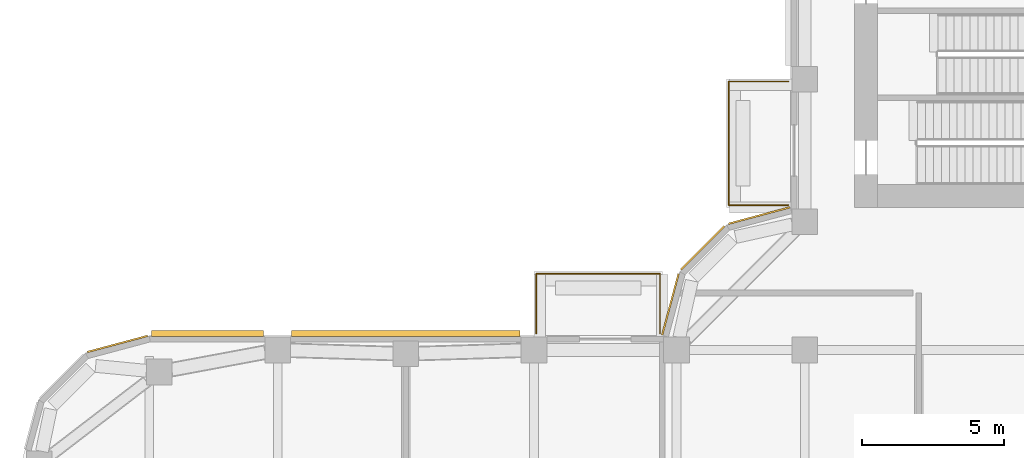
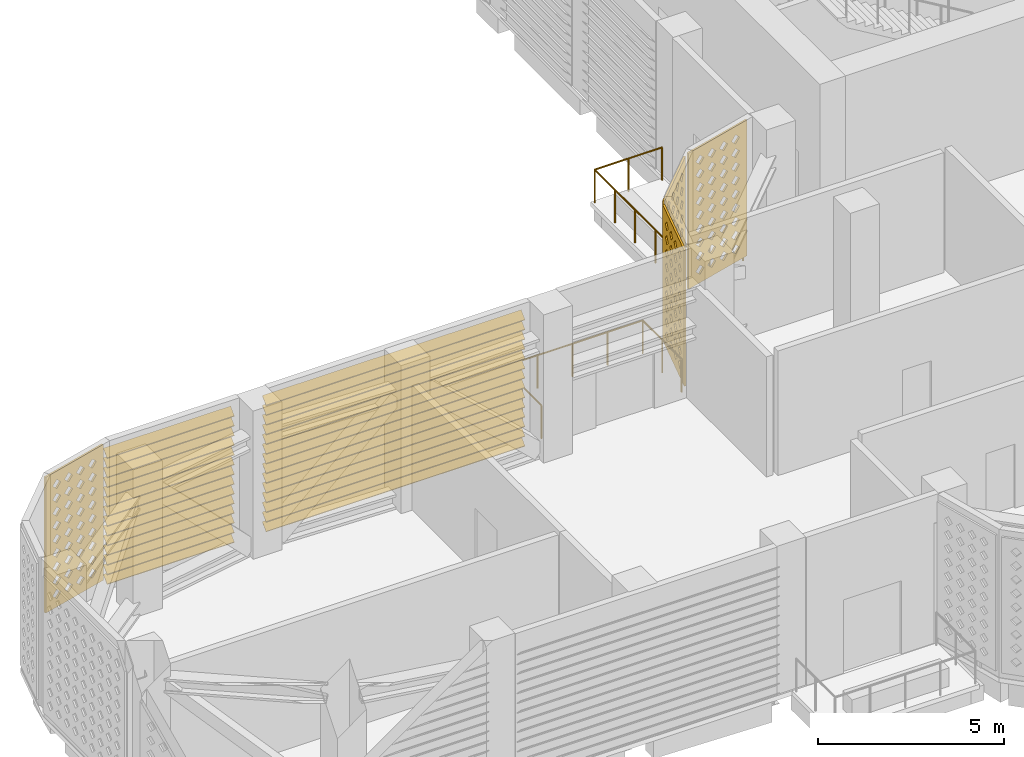
# One storey, part 15 of 20: 4 coverings, 2 railings, 2 shading devices.
"""IFC4 building model written with IfcOpenShell, lengths in metres."""

from ifc_helpers import new_model, si_unit, direction, frame, origin, origin_2d, place, context, subcontext, project, spatial, polyline, circle, outline, extrude, source, transform, mapped, material, layer, layer_set, type_object, element, save


model = new_model("IFC4")

# Units and contexts
model_context = context("Model", 3, precision=1e-05, world=origin(), true_north=direction((0.0, 1.0)))
body_context = subcontext(model_context, "Body", "Model", "MODEL_VIEW")
ifc_project = project(units=[si_unit("LENGTHUNIT", "METRE"), si_unit("AREAUNIT", "SQUARE_METRE"), si_unit("VOLUMEUNIT", "CUBIC_METRE"), si_unit("PLANEANGLEUNIT", "RADIAN"), si_unit("MASSUNIT", "GRAM", prefix="KILO")], contexts=[model_context])

# Site, building, storey
site_placement = place(None, origin())
site = spatial("IfcSite", under=ifc_project, at=site_placement, CompositionType="ELEMENT")
building_placement = place(site_placement, origin())
building = spatial("IfcBuilding", under=site, at=building_placement, Name="Zarbagh Exchange Tower", CompositionType="ELEMENT")
storey_placement = place(building_placement, frame((0.0, 0.0, 136.0)))
storey = spatial("IfcBuildingStorey", under=building, at=storey_placement, Name="L32", CompositionType="ELEMENT", Elevation=136.0)

# Railings
ifc_material_1 = material(Name="Stainless steel and laminated glass", Category="steel")
railing_type = type_object("IfcRailingType", Name="Terrace guard, glass balustrade 1.1 m", PredefinedType="GUARDRAIL", material=ifc_material_1)
railing_1_placement = place(storey_placement, frame((-6.830078125, 11.330078125, 0.0)))
element("IfcRailing", 1, at=railing_1_placement, inside=storey, type_object=railing_type, Name="TG01 terrace guard", PredefinedType="GUARDRAIL", context=body_context, shape_type="SweptSolid", body=[
    extrude(circle(Radius=0.02490234375, at=origin_2d()), frame((0.0, 0.0, 1.0751953125), z_axis=(-1.0, 0.0, 0.0), x_axis=(0.0, -1.0, 0.0)), (0.0, 0.0, 1.0), 2.08984375),
    extrude(circle(Radius=0.02490234375, at=origin_2d()), frame((-2.08984375, 0.0, 1.0751953125), z_axis=(0.0, 1.0, 0.0), x_axis=(-1.0, 0.0, 0.0)), (0.0, 0.0, 1.0), 4.33984375),
    extrude(circle(Radius=0.02490234375, at=origin_2d()), frame((-2.08984375, 4.33984375, 1.0751953125), z_axis=(1.0, 0.0, 0.0), x_axis=(0.0, 1.0, 0.0)), (0.0, 0.0, 1.0), 2.08984375),
    extrude(circle(Radius=0.02490234375, at=origin_2d()), origin(), (0.0, 0.0, 1.0), 1.050048828125),
    extrude(circle(Radius=0.02490234375, at=origin_2d()), frame((-1.044921875, 0.0, 0.0)), (0.0, 0.0, 1.0), 1.050048828125),
    extrude(circle(Radius=0.02490234375, at=origin_2d()), frame((-2.08984375, 0.0, 0.0)), (0.0, 0.0, 1.0), 1.050048828125),
    extrude(circle(Radius=0.02490234375, at=origin_2d()), frame((-2.08984375, 1.0849609375, 0.0)), (0.0, 0.0, 1.0), 1.050048828125),
    extrude(circle(Radius=0.02490234375, at=origin_2d()), frame((-2.08984375, 2.169921875, 0.0)), (0.0, 0.0, 1.0), 1.050048828125),
    extrude(circle(Radius=0.02490234375, at=origin_2d()), frame((-2.08984375, 3.2548828125, 0.0)), (0.0, 0.0, 1.0), 1.050048828125),
    extrude(circle(Radius=0.02490234375, at=origin_2d()), frame((-2.08984375, 4.33984375, 0.0)), (0.0, 0.0, 1.0), 1.050048828125),
    extrude(circle(Radius=0.02490234375, at=origin_2d()), frame((-1.044921875, 4.33984375, 0.0)), (0.0, 0.0, 1.0), 1.050048828125),
    extrude(circle(Radius=0.02490234375, at=origin_2d()), frame((0.0, 4.33984375, 0.0)), (0.0, 0.0, 1.0), 1.050048828125),
])
railing_2_placement = place(storey_placement, frame((-15.669921875, 6.830078125, 0.0)))
element("IfcRailing", 2, at=railing_2_placement, inside=storey, type_object=railing_type, Name="TG01 terrace guard", PredefinedType="GUARDRAIL", context=body_context, shape_type="SweptSolid", body=[
    extrude(circle(Radius=0.02490234375, at=origin_2d()), frame((0.0, 0.0, 1.0751953125), z_axis=(0.0, 1.0, 0.0), x_axis=(-1.0, 0.0, 0.0)), (0.0, 0.0, 1.0), 2.08984375),
    extrude(circle(Radius=0.02490234375, at=origin_2d()), frame((0.0, 2.08984375, 1.0751953125), z_axis=(1.0, 0.0, 0.0), x_axis=(0.0, 1.0, 0.0)), (0.0, 0.0, 1.0), 4.33984375),
    extrude(circle(Radius=0.02490234375, at=origin_2d()), frame((4.33984375, 2.08984375, 1.0751953125), z_axis=(0.0, -1.0, 0.0), x_axis=(1.0, 0.0, 0.0)), (0.0, 0.0, 1.0), 2.08984375),
    extrude(circle(Radius=0.02490234375, at=origin_2d()), origin(), (0.0, 0.0, 1.0), 1.050048828125),
    extrude(circle(Radius=0.02490234375, at=origin_2d()), frame((0.0, 1.044921875, 0.0)), (0.0, 0.0, 1.0), 1.050048828125),
    extrude(circle(Radius=0.02490234375, at=origin_2d()), frame((0.0, 2.08984375, 0.0)), (0.0, 0.0, 1.0), 1.050048828125),
    extrude(circle(Radius=0.02490234375, at=origin_2d()), frame((1.0849609375, 2.08984375, 0.0)), (0.0, 0.0, 1.0), 1.050048828125),
    extrude(circle(Radius=0.02490234375, at=origin_2d()), frame((2.169921875, 2.08984375, 0.0)), (0.0, 0.0, 1.0), 1.050048828125),
    extrude(circle(Radius=0.02490234375, at=origin_2d()), frame((3.2548828125, 2.08984375, 0.0)), (0.0, 0.0, 1.0), 1.050048828125),
    extrude(circle(Radius=0.02490234375, at=origin_2d()), frame((4.33984375, 2.08984375, 0.0)), (0.0, 0.0, 1.0), 1.050048828125),
    extrude(circle(Radius=0.02490234375, at=origin_2d()), frame((4.33984375, 1.044921875, 0.0)), (0.0, 0.0, 1.0), 1.050048828125),
    extrude(circle(Radius=0.02490234375, at=origin_2d()), frame((4.33984375, 0.0, 0.0)), (0.0, 0.0, 1.0), 1.050048828125),
])

# Coverings
ifc_material_2 = material(Name="Glass-fibre reinforced concrete GFRC C50/60", Category="concrete")
ifc_layer = layer(ifc_material_2, 0.06005859375)
ifc_layer_set = layer_set([ifc_layer], Name="SCREEN jali panel, GFRC")
covering_type = type_object("IfcCoveringType", Name="SCREEN jali panel, GFRC", PredefinedType="CLADDING", material=ifc_layer_set)
shared_shape_1 = source(origin(), body_context, "Body", "SweptSolid", [
    extrude(outline(polyline([(0.0, 0.0), (2.1650390625, 0.0), (2.1650390625, 4.449951171875), (0.0, 4.449951171875), (0.0, 0.0)]), holes=[polyline([(0.257568359375, 0.425048828125), (0.407470703125, 0.27490234375), (0.5576171875, 0.425048828125), (0.407470703125, 0.574951171875), (0.257568359375, 0.425048828125)]), polyline([(0.257568359375, 0.875), (0.407470703125, 0.72509765625), (0.5576171875, 0.875), (0.407470703125, 1.02490234375), (0.257568359375, 0.875)]), polyline([(0.257568359375, 1.324951171875), (0.407470703125, 1.175048828125), (0.5576171875, 1.324951171875), (0.407470703125, 1.47509765625), (0.257568359375, 1.324951171875)]), polyline([(0.257568359375, 1.77490234375), (0.407470703125, 1.625), (0.5576171875, 1.77490234375), (0.407470703125, 1.925048828125), (0.257568359375, 1.77490234375)]), polyline([(0.257568359375, 2.22509765625), (0.407470703125, 2.074951171875), (0.5576171875, 2.22509765625), (0.407470703125, 2.375), (0.257568359375, 2.22509765625)]), polyline([(0.257568359375, 2.675048828125), (0.407470703125, 2.52490234375), (0.5576171875, 2.675048828125), (0.407470703125, 2.824951171875), (0.257568359375, 2.675048828125)]), polyline([(0.257568359375, 3.125), (0.407470703125, 2.97509765625), (0.5576171875, 3.125), (0.407470703125, 3.27490234375), (0.257568359375, 3.125)]), polyline([(0.257568359375, 3.574951171875), (0.407470703125, 3.425048828125), (0.5576171875, 3.574951171875), (0.407470703125, 3.72509765625), (0.257568359375, 3.574951171875)]), polyline([(0.257568359375, 4.02490234375), (0.407470703125, 3.875), (0.5576171875, 4.02490234375), (0.407470703125, 4.175048828125), (0.257568359375, 4.02490234375)]), polyline([(0.70751953125, 0.425048828125), (0.857421875, 0.27490234375), (1.007568359375, 0.425048828125), (0.857421875, 0.574951171875), (0.70751953125, 0.425048828125)]), polyline([(0.70751953125, 0.875), (0.857421875, 0.72509765625), (1.007568359375, 0.875), (0.857421875, 1.02490234375), (0.70751953125, 0.875)]), polyline([(0.70751953125, 1.324951171875), (0.857421875, 1.175048828125), (1.007568359375, 1.324951171875), (0.857421875, 1.47509765625), (0.70751953125, 1.324951171875)]), polyline([(0.70751953125, 1.77490234375), (0.857421875, 1.625), (1.007568359375, 1.77490234375), (0.857421875, 1.925048828125), (0.70751953125, 1.77490234375)]), polyline([(0.70751953125, 2.22509765625), (0.857421875, 2.074951171875), (1.007568359375, 2.22509765625), (0.857421875, 2.375), (0.70751953125, 2.22509765625)]), polyline([(0.70751953125, 2.675048828125), (0.857421875, 2.52490234375), (1.007568359375, 2.675048828125), (0.857421875, 2.824951171875), (0.70751953125, 2.675048828125)]), polyline([(0.70751953125, 3.125), (0.857421875, 2.97509765625), (1.007568359375, 3.125), (0.857421875, 3.27490234375), (0.70751953125, 3.125)]), polyline([(0.70751953125, 3.574951171875), (0.857421875, 3.425048828125), (1.007568359375, 3.574951171875), (0.857421875, 3.72509765625), (0.70751953125, 3.574951171875)]), polyline([(0.70751953125, 4.02490234375), (0.857421875, 3.875), (1.007568359375, 4.02490234375), (0.857421875, 4.175048828125), (0.70751953125, 4.02490234375)]), polyline([(1.157470703125, 0.425048828125), (1.3076171875, 0.27490234375), (1.45751953125, 0.425048828125), (1.3076171875, 0.574951171875), (1.157470703125, 0.425048828125)]), polyline([(1.157470703125, 0.875), (1.3076171875, 0.72509765625), (1.45751953125, 0.875), (1.3076171875, 1.02490234375), (1.157470703125, 0.875)]), polyline([(1.157470703125, 1.324951171875), (1.3076171875, 1.175048828125), (1.45751953125, 1.324951171875), (1.3076171875, 1.47509765625), (1.157470703125, 1.324951171875)]), polyline([(1.157470703125, 1.77490234375), (1.3076171875, 1.625), (1.45751953125, 1.77490234375), (1.3076171875, 1.925048828125), (1.157470703125, 1.77490234375)]), polyline([(1.157470703125, 2.22509765625), (1.3076171875, 2.074951171875), (1.45751953125, 2.22509765625), (1.3076171875, 2.375), (1.157470703125, 2.22509765625)]), polyline([(1.157470703125, 2.675048828125), (1.3076171875, 2.52490234375), (1.45751953125, 2.675048828125), (1.3076171875, 2.824951171875), (1.157470703125, 2.675048828125)]), polyline([(1.157470703125, 3.125), (1.3076171875, 2.97509765625), (1.45751953125, 3.125), (1.3076171875, 3.27490234375), (1.157470703125, 3.125)]), polyline([(1.157470703125, 3.574951171875), (1.3076171875, 3.425048828125), (1.45751953125, 3.574951171875), (1.3076171875, 3.72509765625), (1.157470703125, 3.574951171875)]), polyline([(1.157470703125, 4.02490234375), (1.3076171875, 3.875), (1.45751953125, 4.02490234375), (1.3076171875, 4.175048828125), (1.157470703125, 4.02490234375)]), polyline([(1.607421875, 0.425048828125), (1.757568359375, 0.27490234375), (1.907470703125, 0.425048828125), (1.757568359375, 0.574951171875), (1.607421875, 0.425048828125)]), polyline([(1.607421875, 0.875), (1.757568359375, 0.72509765625), (1.907470703125, 0.875), (1.757568359375, 1.02490234375), (1.607421875, 0.875)]), polyline([(1.607421875, 1.324951171875), (1.757568359375, 1.175048828125), (1.907470703125, 1.324951171875), (1.757568359375, 1.47509765625), (1.607421875, 1.324951171875)]), polyline([(1.607421875, 1.77490234375), (1.757568359375, 1.625), (1.907470703125, 1.77490234375), (1.757568359375, 1.925048828125), (1.607421875, 1.77490234375)]), polyline([(1.607421875, 2.22509765625), (1.757568359375, 2.074951171875), (1.907470703125, 2.22509765625), (1.757568359375, 2.375), (1.607421875, 2.22509765625)]), polyline([(1.607421875, 2.675048828125), (1.757568359375, 2.52490234375), (1.907470703125, 2.675048828125), (1.757568359375, 2.824951171875), (1.607421875, 2.675048828125)]), polyline([(1.607421875, 3.125), (1.757568359375, 2.97509765625), (1.907470703125, 3.125), (1.757568359375, 3.27490234375), (1.607421875, 3.125)]), polyline([(1.607421875, 3.574951171875), (1.757568359375, 3.425048828125), (1.907470703125, 3.574951171875), (1.757568359375, 3.72509765625), (1.607421875, 3.574951171875)]), polyline([(1.607421875, 4.02490234375), (1.757568359375, 3.875), (1.907470703125, 4.02490234375), (1.757568359375, 4.175048828125), (1.607421875, 4.02490234375)])]), origin(), (0.0, 0.0, 1.0), 0.06005859375),
])
placement = place(storey_placement, origin())
element("IfcCovering", 3, at=placement, inside=storey, type_object=covering_type, Name="JS25 jali screen", PredefinedType="CLADDING", context=body_context, shape_type="MappedRepresentation", body=[
    mapped(shared_shape_1, transform((-9.0439453125, 10.574951171875, 0.199951171875), x_axis=(-0.707106781187, -0.707106781187, 0.0), y_axis=(0.0, 0.0, 1.0), z_axis=(-0.707106781187, 0.707106781187, 0.0))),
])
shared_shape_2 = source(origin(), body_context, "Body", "SweptSolid", [
    extrude(outline(polyline([(0.0, 0.0), (2.181396484375, 0.0), (2.181396484375, 4.449951171875), (0.0, 4.449951171875), (0.0, 0.0)]), holes=[polyline([(0.265625, 0.425048828125), (0.415771484375, 0.27490234375), (0.565673828125, 0.425048828125), (0.415771484375, 0.574951171875), (0.265625, 0.425048828125)]), polyline([(0.265625, 0.875), (0.415771484375, 0.72509765625), (0.565673828125, 0.875), (0.415771484375, 1.02490234375), (0.265625, 0.875)]), polyline([(0.265625, 1.324951171875), (0.415771484375, 1.175048828125), (0.565673828125, 1.324951171875), (0.415771484375, 1.47509765625), (0.265625, 1.324951171875)]), polyline([(0.265625, 1.77490234375), (0.415771484375, 1.625), (0.565673828125, 1.77490234375), (0.415771484375, 1.925048828125), (0.265625, 1.77490234375)]), polyline([(0.265625, 2.22509765625), (0.415771484375, 2.074951171875), (0.565673828125, 2.22509765625), (0.415771484375, 2.375), (0.265625, 2.22509765625)]), polyline([(0.265625, 2.675048828125), (0.415771484375, 2.52490234375), (0.565673828125, 2.675048828125), (0.415771484375, 2.824951171875), (0.265625, 2.675048828125)]), polyline([(0.265625, 3.125), (0.415771484375, 2.97509765625), (0.565673828125, 3.125), (0.415771484375, 3.27490234375), (0.265625, 3.125)]), polyline([(0.265625, 3.574951171875), (0.415771484375, 3.425048828125), (0.565673828125, 3.574951171875), (0.415771484375, 3.72509765625), (0.265625, 3.574951171875)]), polyline([(0.265625, 4.02490234375), (0.415771484375, 3.875), (0.565673828125, 4.02490234375), (0.415771484375, 4.175048828125), (0.265625, 4.02490234375)]), polyline([(0.7158203125, 0.425048828125), (0.86572265625, 0.27490234375), (1.015625, 0.425048828125), (0.86572265625, 0.574951171875), (0.7158203125, 0.425048828125)]), polyline([(0.7158203125, 0.875), (0.86572265625, 0.72509765625), (1.015625, 0.875), (0.86572265625, 1.02490234375), (0.7158203125, 0.875)]), polyline([(0.7158203125, 1.324951171875), (0.86572265625, 1.175048828125), (1.015625, 1.324951171875), (0.86572265625, 1.47509765625), (0.7158203125, 1.324951171875)]), polyline([(0.7158203125, 1.77490234375), (0.86572265625, 1.625), (1.015625, 1.77490234375), (0.86572265625, 1.925048828125), (0.7158203125, 1.77490234375)]), polyline([(0.7158203125, 2.22509765625), (0.86572265625, 2.074951171875), (1.015625, 2.22509765625), (0.86572265625, 2.375), (0.7158203125, 2.22509765625)]), polyline([(0.7158203125, 2.675048828125), (0.86572265625, 2.52490234375), (1.015625, 2.675048828125), (0.86572265625, 2.824951171875), (0.7158203125, 2.675048828125)]), polyline([(0.7158203125, 3.125), (0.86572265625, 2.97509765625), (1.015625, 3.125), (0.86572265625, 3.27490234375), (0.7158203125, 3.125)]), polyline([(0.7158203125, 3.574951171875), (0.86572265625, 3.425048828125), (1.015625, 3.574951171875), (0.86572265625, 3.72509765625), (0.7158203125, 3.574951171875)]), polyline([(0.7158203125, 4.02490234375), (0.86572265625, 3.875), (1.015625, 4.02490234375), (0.86572265625, 4.175048828125), (0.7158203125, 4.02490234375)]), polyline([(1.165771484375, 0.425048828125), (1.315673828125, 0.27490234375), (1.4658203125, 0.425048828125), (1.315673828125, 0.574951171875), (1.165771484375, 0.425048828125)]), polyline([(1.165771484375, 0.875), (1.315673828125, 0.72509765625), (1.4658203125, 0.875), (1.315673828125, 1.02490234375), (1.165771484375, 0.875)]), polyline([(1.165771484375, 1.324951171875), (1.315673828125, 1.175048828125), (1.4658203125, 1.324951171875), (1.315673828125, 1.47509765625), (1.165771484375, 1.324951171875)]), polyline([(1.165771484375, 1.77490234375), (1.315673828125, 1.625), (1.4658203125, 1.77490234375), (1.315673828125, 1.925048828125), (1.165771484375, 1.77490234375)]), polyline([(1.165771484375, 2.22509765625), (1.315673828125, 2.074951171875), (1.4658203125, 2.22509765625), (1.315673828125, 2.375), (1.165771484375, 2.22509765625)]), polyline([(1.165771484375, 2.675048828125), (1.315673828125, 2.52490234375), (1.4658203125, 2.675048828125), (1.315673828125, 2.824951171875), (1.165771484375, 2.675048828125)]), polyline([(1.165771484375, 3.125), (1.315673828125, 2.97509765625), (1.4658203125, 3.125), (1.315673828125, 3.27490234375), (1.165771484375, 3.125)]), polyline([(1.165771484375, 3.574951171875), (1.315673828125, 3.425048828125), (1.4658203125, 3.574951171875), (1.315673828125, 3.72509765625), (1.165771484375, 3.574951171875)]), polyline([(1.165771484375, 4.02490234375), (1.315673828125, 3.875), (1.4658203125, 4.02490234375), (1.315673828125, 4.175048828125), (1.165771484375, 4.02490234375)]), polyline([(1.61572265625, 0.425048828125), (1.765625, 0.27490234375), (1.915771484375, 0.425048828125), (1.765625, 0.574951171875), (1.61572265625, 0.425048828125)]), polyline([(1.61572265625, 0.875), (1.765625, 0.72509765625), (1.915771484375, 0.875), (1.765625, 1.02490234375), (1.61572265625, 0.875)]), polyline([(1.61572265625, 1.324951171875), (1.765625, 1.175048828125), (1.915771484375, 1.324951171875), (1.765625, 1.47509765625), (1.61572265625, 1.324951171875)]), polyline([(1.61572265625, 1.77490234375), (1.765625, 1.625), (1.915771484375, 1.77490234375), (1.765625, 1.925048828125), (1.61572265625, 1.77490234375)]), polyline([(1.61572265625, 2.22509765625), (1.765625, 2.074951171875), (1.915771484375, 2.22509765625), (1.765625, 2.375), (1.61572265625, 2.22509765625)]), polyline([(1.61572265625, 2.675048828125), (1.765625, 2.52490234375), (1.915771484375, 2.675048828125), (1.765625, 2.824951171875), (1.61572265625, 2.675048828125)]), polyline([(1.61572265625, 3.125), (1.765625, 2.97509765625), (1.915771484375, 3.125), (1.765625, 3.27490234375), (1.61572265625, 3.125)]), polyline([(1.61572265625, 3.574951171875), (1.765625, 3.425048828125), (1.915771484375, 3.574951171875), (1.765625, 3.72509765625), (1.61572265625, 3.574951171875)]), polyline([(1.61572265625, 4.02490234375), (1.765625, 3.875), (1.915771484375, 4.02490234375), (1.765625, 4.175048828125), (1.61572265625, 4.02490234375)])]), origin(), (0.0, 0.0, 1.0), 0.06005859375),
])
element("IfcCovering", 4, at=placement, inside=storey, type_object=covering_type, Name="JS27 jali screen", PredefinedType="CLADDING", context=body_context, shape_type="MappedRepresentation", body=[
    mapped(shared_shape_2, transform((-29.308349609375, 6.713623046875, 0.199951171875), x_axis=(-0.965924215207, -0.258825057666, 0.0), y_axis=(0.0, 0.0, 1.0), z_axis=(-0.258825057666, 0.965924215207, 0.0))),
])
shared_shape_3 = source(origin(), body_context, "Body", "SweptSolid", [
    extrude(outline(polyline([(0.0, 0.0), (2.225341796875, 0.0), (2.225341796875, 4.449951171875), (0.0, 4.449951171875), (0.0, 0.0)]), holes=[polyline([(0.28759765625, 0.425048828125), (0.437744140625, 0.27490234375), (0.587646484375, 0.425048828125), (0.437744140625, 0.574951171875), (0.28759765625, 0.425048828125)]), polyline([(0.28759765625, 0.875), (0.437744140625, 0.72509765625), (0.587646484375, 0.875), (0.437744140625, 1.02490234375), (0.28759765625, 0.875)]), polyline([(0.28759765625, 1.324951171875), (0.437744140625, 1.175048828125), (0.587646484375, 1.324951171875), (0.437744140625, 1.47509765625), (0.28759765625, 1.324951171875)]), polyline([(0.28759765625, 1.77490234375), (0.437744140625, 1.625), (0.587646484375, 1.77490234375), (0.437744140625, 1.925048828125), (0.28759765625, 1.77490234375)]), polyline([(0.28759765625, 2.22509765625), (0.437744140625, 2.074951171875), (0.587646484375, 2.22509765625), (0.437744140625, 2.375), (0.28759765625, 2.22509765625)]), polyline([(0.28759765625, 2.675048828125), (0.437744140625, 2.52490234375), (0.587646484375, 2.675048828125), (0.437744140625, 2.824951171875), (0.28759765625, 2.675048828125)]), polyline([(0.28759765625, 3.125), (0.437744140625, 2.97509765625), (0.587646484375, 3.125), (0.437744140625, 3.27490234375), (0.28759765625, 3.125)]), polyline([(0.28759765625, 3.574951171875), (0.437744140625, 3.425048828125), (0.587646484375, 3.574951171875), (0.437744140625, 3.72509765625), (0.28759765625, 3.574951171875)]), polyline([(0.28759765625, 4.02490234375), (0.437744140625, 3.875), (0.587646484375, 4.02490234375), (0.437744140625, 4.175048828125), (0.28759765625, 4.02490234375)]), polyline([(0.73779296875, 0.425048828125), (0.8876953125, 0.27490234375), (1.03759765625, 0.425048828125), (0.8876953125, 0.574951171875), (0.73779296875, 0.425048828125)]), polyline([(0.73779296875, 0.875), (0.8876953125, 0.72509765625), (1.03759765625, 0.875), (0.8876953125, 1.02490234375), (0.73779296875, 0.875)]), polyline([(0.73779296875, 1.324951171875), (0.8876953125, 1.175048828125), (1.03759765625, 1.324951171875), (0.8876953125, 1.47509765625), (0.73779296875, 1.324951171875)]), polyline([(0.73779296875, 1.77490234375), (0.8876953125, 1.625), (1.03759765625, 1.77490234375), (0.8876953125, 1.925048828125), (0.73779296875, 1.77490234375)]), polyline([(0.73779296875, 2.22509765625), (0.8876953125, 2.074951171875), (1.03759765625, 2.22509765625), (0.8876953125, 2.375), (0.73779296875, 2.22509765625)]), polyline([(0.73779296875, 2.675048828125), (0.8876953125, 2.52490234375), (1.03759765625, 2.675048828125), (0.8876953125, 2.824951171875), (0.73779296875, 2.675048828125)]), polyline([(0.73779296875, 3.125), (0.8876953125, 2.97509765625), (1.03759765625, 3.125), (0.8876953125, 3.27490234375), (0.73779296875, 3.125)]), polyline([(0.73779296875, 3.574951171875), (0.8876953125, 3.425048828125), (1.03759765625, 3.574951171875), (0.8876953125, 3.72509765625), (0.73779296875, 3.574951171875)]), polyline([(0.73779296875, 4.02490234375), (0.8876953125, 3.875), (1.03759765625, 4.02490234375), (0.8876953125, 4.175048828125), (0.73779296875, 4.02490234375)]), polyline([(1.187744140625, 0.425048828125), (1.337646484375, 0.27490234375), (1.48779296875, 0.425048828125), (1.337646484375, 0.574951171875), (1.187744140625, 0.425048828125)]), polyline([(1.187744140625, 0.875), (1.337646484375, 0.72509765625), (1.48779296875, 0.875), (1.337646484375, 1.02490234375), (1.187744140625, 0.875)]), polyline([(1.187744140625, 1.324951171875), (1.337646484375, 1.175048828125), (1.48779296875, 1.324951171875), (1.337646484375, 1.47509765625), (1.187744140625, 1.324951171875)]), polyline([(1.187744140625, 1.77490234375), (1.337646484375, 1.625), (1.48779296875, 1.77490234375), (1.337646484375, 1.925048828125), (1.187744140625, 1.77490234375)]), polyline([(1.187744140625, 2.22509765625), (1.337646484375, 2.074951171875), (1.48779296875, 2.22509765625), (1.337646484375, 2.375), (1.187744140625, 2.22509765625)]), polyline([(1.187744140625, 2.675048828125), (1.337646484375, 2.52490234375), (1.48779296875, 2.675048828125), (1.337646484375, 2.824951171875), (1.187744140625, 2.675048828125)]), polyline([(1.187744140625, 3.125), (1.337646484375, 2.97509765625), (1.48779296875, 3.125), (1.337646484375, 3.27490234375), (1.187744140625, 3.125)]), polyline([(1.187744140625, 3.574951171875), (1.337646484375, 3.425048828125), (1.48779296875, 3.574951171875), (1.337646484375, 3.72509765625), (1.187744140625, 3.574951171875)]), polyline([(1.187744140625, 4.02490234375), (1.337646484375, 3.875), (1.48779296875, 4.02490234375), (1.337646484375, 4.175048828125), (1.187744140625, 4.02490234375)]), polyline([(1.6376953125, 0.425048828125), (1.78759765625, 0.27490234375), (1.937744140625, 0.425048828125), (1.78759765625, 0.574951171875), (1.6376953125, 0.425048828125)]), polyline([(1.6376953125, 0.875), (1.78759765625, 0.72509765625), (1.937744140625, 0.875), (1.78759765625, 1.02490234375), (1.6376953125, 0.875)]), polyline([(1.6376953125, 1.324951171875), (1.78759765625, 1.175048828125), (1.937744140625, 1.324951171875), (1.78759765625, 1.47509765625), (1.6376953125, 1.324951171875)]), polyline([(1.6376953125, 1.77490234375), (1.78759765625, 1.625), (1.937744140625, 1.77490234375), (1.78759765625, 1.925048828125), (1.6376953125, 1.77490234375)]), polyline([(1.6376953125, 2.22509765625), (1.78759765625, 2.074951171875), (1.937744140625, 2.22509765625), (1.78759765625, 2.375), (1.6376953125, 2.22509765625)]), polyline([(1.6376953125, 2.675048828125), (1.78759765625, 2.52490234375), (1.937744140625, 2.675048828125), (1.78759765625, 2.824951171875), (1.6376953125, 2.675048828125)]), polyline([(1.6376953125, 3.125), (1.78759765625, 2.97509765625), (1.937744140625, 3.125), (1.78759765625, 3.27490234375), (1.6376953125, 3.125)]), polyline([(1.6376953125, 3.574951171875), (1.78759765625, 3.425048828125), (1.937744140625, 3.574951171875), (1.78759765625, 3.72509765625), (1.6376953125, 3.574951171875)]), polyline([(1.6376953125, 4.02490234375), (1.78759765625, 3.875), (1.937744140625, 4.02490234375), (1.78759765625, 4.175048828125), (1.6376953125, 4.02490234375)])]), origin(), (0.0, 0.0, 1.0), 0.06005859375),
])
element("IfcCovering", 5, at=placement, inside=storey, type_object=covering_type, Name="JS24 jali screen", PredefinedType="CLADDING", context=body_context, shape_type="MappedRepresentation", body=[
    mapped(shared_shape_3, transform((-6.765869140625, 11.22509765625, 0.199951171875), x_axis=(-0.965924215207, -0.258825057666, 0.0), y_axis=(0.0, 0.0, 1.0), z_axis=(-0.258825057666, 0.965924215207, 0.0))),
])
element("IfcCovering", 6, at=placement, inside=storey, type_object=covering_type, Name="JS26 jali screen", PredefinedType="CLADDING", context=body_context, shape_type="MappedRepresentation", body=[
    mapped(shared_shape_3, transform((-10.64892578125, 8.91552734375, 0.199951171875), x_axis=(-0.258825057666, -0.965924215207, 0.0), y_axis=(0.0, 0.0, 1.0), z_axis=(-0.965924215207, 0.258825057666, 0.0))),
])

# Shading devices
ifc_material_3 = material(Name="Anodised aluminium", Category="aluminium")
shading_device_type = type_object("IfcShadingDeviceType", Name="LOUVRE plant louvre, fixed blades", PredefinedType="USERDEFINED", material=ifc_material_3)
shared_shape_4 = source(origin(), body_context, "Body", "SweptSolid", [
    extrude(outline(polyline([(0.0, 0.199951171875), (0.199951171875, 0.0), (0.199951171875, -0.02001953125), (0.0, 0.179931640625), (0.0, 0.199951171875)])), origin(), (0.0, 0.0, 1.0), 8.02001953125),
])
element("IfcShadingDevice", 7, at=placement, inside=storey, type_object=shading_device_type, Name="LV06 plant louvre", ObjectType="LOUVRE", PredefinedType="USERDEFINED", context=body_context, shape_type="MappedRepresentation", body=[
    mapped(shared_shape_4, transform((-16.239990234375, 6.72998046875, 0.199951171875), x_axis=(0.0, 1.0, 0.0), y_axis=(0.0, 0.0, -1.0), z_axis=(-1.0, 0.0, 0.0))),
    mapped(shared_shape_4, transform((-16.239990234375, 6.72998046875, 0.517822265625), x_axis=(0.0, 1.0, 0.0), y_axis=(0.0, 0.0, -1.0), z_axis=(-1.0, 0.0, 0.0))),
    mapped(shared_shape_4, transform((-16.239990234375, 6.72998046875, 0.835693359375), x_axis=(0.0, 1.0, 0.0), y_axis=(0.0, 0.0, -1.0), z_axis=(-1.0, 0.0, 0.0))),
    mapped(shared_shape_4, transform((-16.239990234375, 6.72998046875, 1.153564453125), x_axis=(0.0, 1.0, 0.0), y_axis=(0.0, 0.0, -1.0), z_axis=(-1.0, 0.0, 0.0))),
    mapped(shared_shape_4, transform((-16.239990234375, 6.72998046875, 1.471435546875), x_axis=(0.0, 1.0, 0.0), y_axis=(0.0, 0.0, -1.0), z_axis=(-1.0, 0.0, 0.0))),
    mapped(shared_shape_4, transform((-16.239990234375, 6.72998046875, 1.789306640625), x_axis=(0.0, 1.0, 0.0), y_axis=(0.0, 0.0, -1.0), z_axis=(-1.0, 0.0, 0.0))),
    mapped(shared_shape_4, transform((-16.239990234375, 6.72998046875, 2.107177734375), x_axis=(0.0, 1.0, 0.0), y_axis=(0.0, 0.0, -1.0), z_axis=(-1.0, 0.0, 0.0))),
    mapped(shared_shape_4, transform((-16.239990234375, 6.72998046875, 2.425048828125), x_axis=(0.0, 1.0, 0.0), y_axis=(0.0, 0.0, -1.0), z_axis=(-1.0, 0.0, 0.0))),
    mapped(shared_shape_4, transform((-16.239990234375, 6.72998046875, 2.742919921875), x_axis=(0.0, 1.0, 0.0), y_axis=(0.0, 0.0, -1.0), z_axis=(-1.0, 0.0, 0.0))),
    mapped(shared_shape_4, transform((-16.239990234375, 6.72998046875, 3.060791015625), x_axis=(0.0, 1.0, 0.0), y_axis=(0.0, 0.0, -1.0), z_axis=(-1.0, 0.0, 0.0))),
    mapped(shared_shape_4, transform((-16.239990234375, 6.72998046875, 3.378662109375), x_axis=(0.0, 1.0, 0.0), y_axis=(0.0, 0.0, -1.0), z_axis=(-1.0, 0.0, 0.0))),
    mapped(shared_shape_4, transform((-16.239990234375, 6.72998046875, 3.696533203125), x_axis=(0.0, 1.0, 0.0), y_axis=(0.0, 0.0, -1.0), z_axis=(-1.0, 0.0, 0.0))),
    mapped(shared_shape_4, transform((-16.239990234375, 6.72998046875, 4.014404296875), x_axis=(0.0, 1.0, 0.0), y_axis=(0.0, 0.0, -1.0), z_axis=(-1.0, 0.0, 0.0))),
    mapped(shared_shape_4, transform((-16.239990234375, 6.72998046875, 4.33203125), x_axis=(0.0, 1.0, 0.0), y_axis=(0.0, 0.0, -1.0), z_axis=(-1.0, 0.0, 0.0))),
])
shared_shape_5 = source(origin(), body_context, "Body", "SweptSolid", [
    extrude(outline(polyline([(0.0, 0.199951171875), (0.199951171875, 0.0), (0.199951171875, -0.02001953125), (0.0, 0.179931640625), (0.0, 0.199951171875)])), origin(), (0.0, 0.0, 1.0), 3.944091796875),
])
element("IfcShadingDevice", 8, at=placement, inside=storey, type_object=shading_device_type, Name="LV06 plant louvre", ObjectType="LOUVRE", PredefinedType="USERDEFINED", context=body_context, shape_type="MappedRepresentation", body=[
    mapped(shared_shape_5, transform((-25.239990234375, 6.72998046875, 0.199951171875), x_axis=(0.0, 1.0, 0.0), y_axis=(0.0, 0.0, -1.0), z_axis=(-1.0, 0.0, 0.0))),
    mapped(shared_shape_5, transform((-25.239990234375, 6.72998046875, 0.517822265625), x_axis=(0.0, 1.0, 0.0), y_axis=(0.0, 0.0, -1.0), z_axis=(-1.0, 0.0, 0.0))),
    mapped(shared_shape_5, transform((-25.239990234375, 6.72998046875, 0.835693359375), x_axis=(0.0, 1.0, 0.0), y_axis=(0.0, 0.0, -1.0), z_axis=(-1.0, 0.0, 0.0))),
    mapped(shared_shape_5, transform((-25.239990234375, 6.72998046875, 1.153564453125), x_axis=(0.0, 1.0, 0.0), y_axis=(0.0, 0.0, -1.0), z_axis=(-1.0, 0.0, 0.0))),
    mapped(shared_shape_5, transform((-25.239990234375, 6.72998046875, 1.471435546875), x_axis=(0.0, 1.0, 0.0), y_axis=(0.0, 0.0, -1.0), z_axis=(-1.0, 0.0, 0.0))),
    mapped(shared_shape_5, transform((-25.239990234375, 6.72998046875, 1.789306640625), x_axis=(0.0, 1.0, 0.0), y_axis=(0.0, 0.0, -1.0), z_axis=(-1.0, 0.0, 0.0))),
    mapped(shared_shape_5, transform((-25.239990234375, 6.72998046875, 2.107177734375), x_axis=(0.0, 1.0, 0.0), y_axis=(0.0, 0.0, -1.0), z_axis=(-1.0, 0.0, 0.0))),
    mapped(shared_shape_5, transform((-25.239990234375, 6.72998046875, 2.425048828125), x_axis=(0.0, 1.0, 0.0), y_axis=(0.0, 0.0, -1.0), z_axis=(-1.0, 0.0, 0.0))),
    mapped(shared_shape_5, transform((-25.239990234375, 6.72998046875, 2.742919921875), x_axis=(0.0, 1.0, 0.0), y_axis=(0.0, 0.0, -1.0), z_axis=(-1.0, 0.0, 0.0))),
    mapped(shared_shape_5, transform((-25.239990234375, 6.72998046875, 3.060791015625), x_axis=(0.0, 1.0, 0.0), y_axis=(0.0, 0.0, -1.0), z_axis=(-1.0, 0.0, 0.0))),
    mapped(shared_shape_5, transform((-25.239990234375, 6.72998046875, 3.378662109375), x_axis=(0.0, 1.0, 0.0), y_axis=(0.0, 0.0, -1.0), z_axis=(-1.0, 0.0, 0.0))),
    mapped(shared_shape_5, transform((-25.239990234375, 6.72998046875, 3.696533203125), x_axis=(0.0, 1.0, 0.0), y_axis=(0.0, 0.0, -1.0), z_axis=(-1.0, 0.0, 0.0))),
    mapped(shared_shape_5, transform((-25.239990234375, 6.72998046875, 4.014404296875), x_axis=(0.0, 1.0, 0.0), y_axis=(0.0, 0.0, -1.0), z_axis=(-1.0, 0.0, 0.0))),
    mapped(shared_shape_5, transform((-25.239990234375, 6.72998046875, 4.33203125), x_axis=(0.0, 1.0, 0.0), y_axis=(0.0, 0.0, -1.0), z_axis=(-1.0, 0.0, 0.0))),
])

save(model, "model.ifc")
